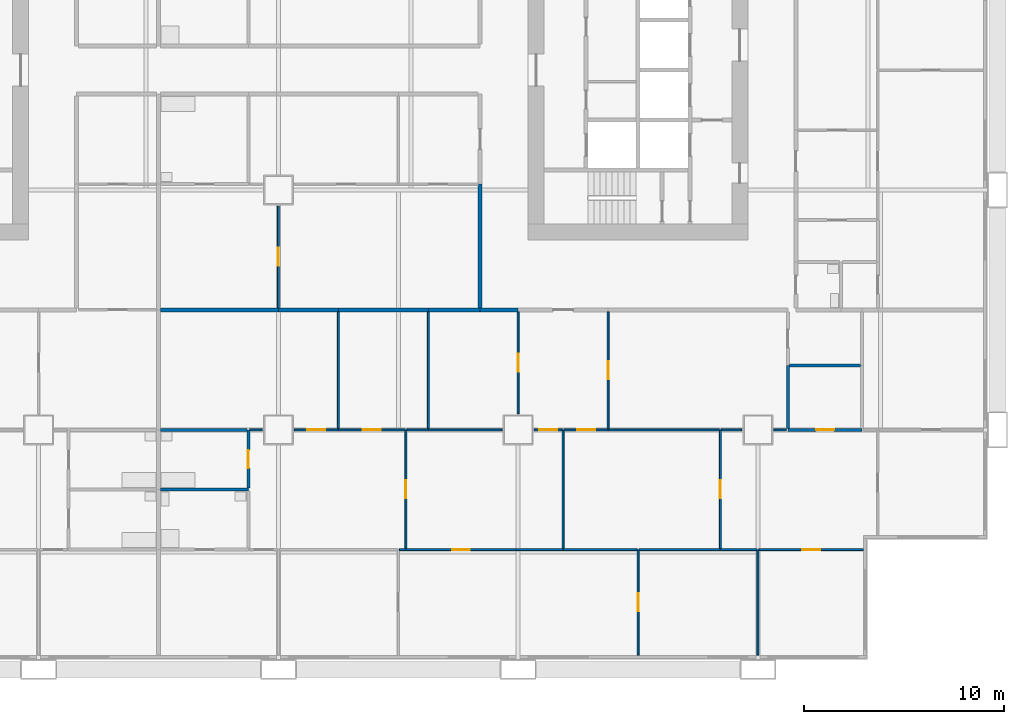
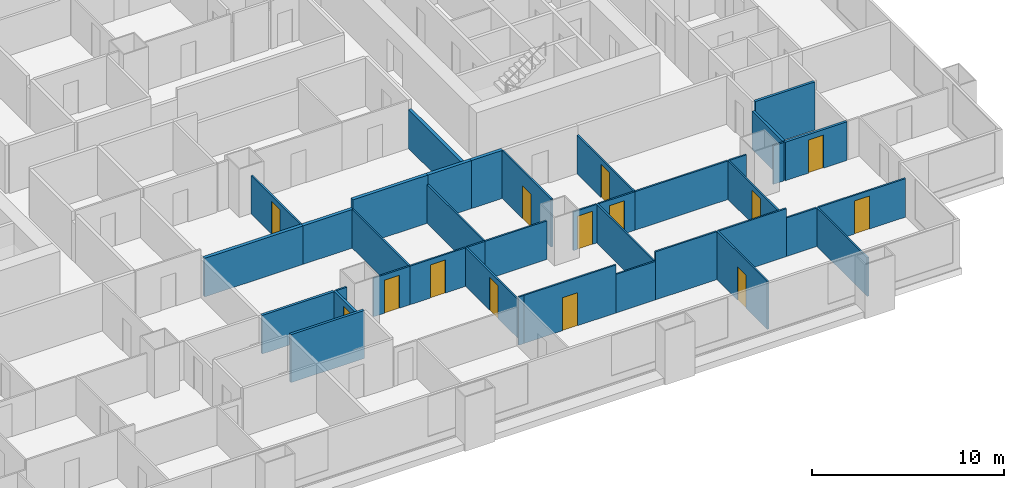
# One storey, part 5 of 13: 39 walls, 14 doors, 14 openings.
"""IFC4 building model written with IfcOpenShell, lengths in metres."""

from ifc_helpers import new_model, si_unit, direction, frame, frame_2d, origin, place, context, subcontext, project, spatial, rectangle, extrude, material, layer, layer_set, type_object, element, fill, save


model = new_model("IFC4")

# Units and contexts
model_context = context("Model", 3, precision=1e-05, world=origin(), true_north=direction((0.0, 1.0)))
body_context = subcontext(model_context, "Body", "Model", "MODEL_VIEW")
ifc_project = project(units=[si_unit("LENGTHUNIT", "METRE"), si_unit("AREAUNIT", "SQUARE_METRE"), si_unit("VOLUMEUNIT", "CUBIC_METRE"), si_unit("PLANEANGLEUNIT", "RADIAN"), si_unit("MASSUNIT", "GRAM", prefix="KILO")], contexts=[model_context])

# Site, building, storey
site_placement = place(None, origin())
site = spatial("IfcSite", under=ifc_project, at=site_placement, CompositionType="ELEMENT")
building_placement = place(site_placement, origin())
building = spatial("IfcBuilding", under=site, at=building_placement, Name="Kitamizu Gate Tower and Museum", CompositionType="ELEMENT")
storey_placement = place(building_placement, frame((0.0, 0.0, 40.35009765625)))
storey = spatial("IfcBuildingStorey", under=building, at=storey_placement, Name="L08", CompositionType="ELEMENT", Elevation=40.35009765625)

# Wall, opening, door
ifc_material_1 = material(Name="Gypsum board on galvanised stud")
ifc_layer_1 = layer(ifc_material_1, 0.10009765625)
ifc_layer_set_1 = layer_set([ifc_layer_1], Name="Gypsum board on galvanised stud")
wall_type_1 = type_object("IfcWallType", Name="Partition 100 NOT RATED", PredefinedType="PARTITIONING", material=ifc_layer_set_1)
wall_1_placement = place(storey_placement, frame((54.0, 0.719970703125, 0.0), z_axis=(0.0, 0.0, 1.0), x_axis=(0.0, 1.0, 0.0)))
wall_1 = element("IfcWall", 1, at=wall_1_placement, inside=storey, type_object=wall_type_1, Name="Partition L08-051", PredefinedType="PARTITIONING", context=body_context, shape_type="SweptSolid", body=[
    extrude(rectangle(XDim=5.280029296875, YDim=0.10009765625, at=frame_2d((2.64013671875, 0.0))), origin(), (0.0, 0.0, 1.0), 3.0498046875),
])
opening_1_placement = place(wall_1_placement, frame((2.18994140625, 0.0, 0.0)))
opening_1 = element("IfcOpeningElement", 2, at=opening_1_placement, cuts=wall_1, Name="Opening L08-027", PredefinedType="OPENING", context=body_context, shape_type="SweptSolid", body=[
    extrude(rectangle(XDim=0.89990234375, YDim=2.10009765625, at=frame_2d((0.449951171875, 1.050048828125))), frame((0.0, 0.06005859375, 0.0), z_axis=(0.0, -1.0, 0.0), x_axis=(1.0, 0.0, 0.0)), (0.0, 0.0, 1.0), 0.1201171875),
])
ifc_material_2 = material(Name="Timber door set", Category="wood")
door_type_1 = type_object("IfcDoorType", Name="Room door 900", OperationType="NOTDEFINED", PredefinedType="DOOR", material=ifc_material_2)
door_1_placement = place(opening_1_placement, frame((0.89990234375, 0.0, 0.0), x_axis=(-1.0, 0.0, 0.0)))
door_1 = element("IfcDoor", 3, at=door_1_placement, inside=storey, type_object=door_type_1, Name="Door L08-027", OperationType="SINGLE_SWING_LEFT", OverallHeight=2.10009765625, OverallWidth=0.89990234375, PredefinedType="DOOR", context=body_context, shape_type="SweptSolid", body=[
    extrude(rectangle(XDim=0.89990234375, YDim=2.10009765625, at=frame_2d((0.449951171875, 1.050048828125))), frame((0.0, 0.02490234375, 0.0), z_axis=(0.0, -1.0, 0.0), x_axis=(1.0, 0.0, 0.0)), (0.0, 0.0, 1.0), 0.050048828125),
])
fill(opening_1, door_1)

# Walls
wall_2_placement = place(storey_placement, frame((42.375, 6.0, 0.0), z_axis=(0.0, 0.0, 1.0), x_axis=(-1.0, 0.0, 0.0)))
element("IfcWall", 4, at=wall_2_placement, inside=storey, type_object=wall_type_1, Name="Partition L08-052", PredefinedType="PARTITIONING", context=body_context, shape_type="SweptSolid", body=[
    extrude(rectangle(XDim=0.324951171875, YDim=0.10009765625, at=frame_2d((0.16259765625, 0.0))), origin(), (0.0, 0.0, 1.0), 3.0498046875),
])
wall_3_placement = place(storey_placement, frame((50.25, 6.0, 0.0), z_axis=(0.0, 0.0, 1.0), x_axis=(-1.0, 0.0, 0.0)))
element("IfcWall", 5, at=wall_3_placement, inside=storey, type_object=wall_type_1, Name="Partition L08-053", PredefinedType="PARTITIONING", context=body_context, shape_type="SweptSolid", body=[
    extrude(rectangle(XDim=2.35009765625, YDim=0.10009765625, at=frame_2d((1.175048828125, 0.0))), origin(), (0.0, 0.0, 1.0), 2.449951171875),
])

# Wall, opening, door
wall_4_placement = place(storey_placement, frame((47.89990234375, 6.0, 0.0), z_axis=(0.0, 0.0, 1.0), x_axis=(-1.0, 0.0, 0.0)))
wall_4 = element("IfcWall", 6, at=wall_4_placement, inside=storey, type_object=wall_type_1, Name="Partition L08-054", PredefinedType="PARTITIONING", context=body_context, shape_type="SweptSolid", body=[
    extrude(rectangle(XDim=5.52490234375, YDim=0.10009765625, at=frame_2d((2.762451171875, 0.0))), origin(), (0.0, 0.0, 1.0), 3.0498046875),
])
opening_2_placement = place(wall_4_placement, frame((2.3125, 0.0, 0.0)))
opening_2 = element("IfcOpeningElement", 7, at=opening_2_placement, cuts=wall_4, Name="Opening L08-020", PredefinedType="OPENING", context=body_context, shape_type="SweptSolid", body=[
    extrude(rectangle(XDim=0.89990234375, YDim=2.10009765625, at=frame_2d((0.449951171875, 1.050048828125))), frame((0.0, 0.06005859375, 0.0), z_axis=(0.0, -1.0, 0.0), x_axis=(1.0, 0.0, 0.0)), (0.0, 0.0, 1.0), 0.1201171875),
])
door_2_placement = place(opening_2_placement, frame((0.89990234375, 0.0, 0.0), x_axis=(-1.0, 0.0, 0.0)))
door_2 = element("IfcDoor", 8, at=door_2_placement, inside=storey, type_object=door_type_1, Name="Door L08-020", OperationType="SINGLE_SWING_LEFT", OverallHeight=2.10009765625, OverallWidth=0.89990234375, PredefinedType="DOOR", context=body_context, shape_type="SweptSolid", body=[
    extrude(rectangle(XDim=0.89990234375, YDim=2.10009765625, at=frame_2d((0.449951171875, 1.050048828125))), frame((0.0, 0.02490234375, 0.0), z_axis=(0.0, -1.0, 0.0), x_axis=(1.0, 0.0, 0.0)), (0.0, 0.0, 1.0), 0.050048828125),
])
fill(opening_2, door_2)

# Walls
wall_5_placement = place(storey_placement, frame((53.949951171875, 6.0, 0.0), z_axis=(0.0, 0.0, 1.0), x_axis=(-1.0, 0.0, 0.0)))
element("IfcWall", 9, at=wall_5_placement, inside=storey, type_object=wall_type_1, Name="Partition L08-055", PredefinedType="PARTITIONING", context=body_context, shape_type="SweptSolid", body=[
    extrude(rectangle(XDim=3.699951171875, YDim=0.10009765625, at=frame_2d((1.85009765625, 0.0))), origin(), (0.0, 0.0, 1.0), 3.0498046875),
])
wall_6_placement = place(storey_placement, frame((60.0, 0.719970703125, 0.0), z_axis=(0.0, 0.0, 1.0), x_axis=(0.0, 1.0, 0.0)))
element("IfcWall", 10, at=wall_6_placement, inside=storey, type_object=wall_type_1, Name="Partition L08-056", PredefinedType="PARTITIONING", context=body_context, shape_type="SweptSolid", body=[
    extrude(rectangle(XDim=5.280029296875, YDim=0.10009765625, at=frame_2d((2.64013671875, 0.0))), origin(), (0.0, 0.0, 1.0), 2.449951171875),
])
wall_7_placement = place(storey_placement, frame((58.125, 6.0, 0.0), z_axis=(0.0, 0.0, 1.0), x_axis=(-1.0, 0.0, 0.0)))
element("IfcWall", 11, at=wall_7_placement, inside=storey, type_object=wall_type_1, Name="Partition L08-057", PredefinedType="PARTITIONING", context=body_context, shape_type="SweptSolid", body=[
    extrude(rectangle(XDim=4.074951171875, YDim=0.10009765625, at=frame_2d((2.03759765625, 0.0))), origin(), (0.0, 0.0, 1.0), 3.0498046875),
])
wall_8_placement = place(storey_placement, frame((59.949951171875, 6.0, 0.0), z_axis=(0.0, 0.0, 1.0), x_axis=(-1.0, 0.0, 0.0)))
element("IfcWall", 12, at=wall_8_placement, inside=storey, type_object=wall_type_1, Name="Partition L08-058", PredefinedType="PARTITIONING", context=body_context, shape_type="SweptSolid", body=[
    extrude(rectangle(XDim=1.824951171875, YDim=0.10009765625, at=frame_2d((0.91259765625, 0.0))), origin(), (0.0, 0.0, 1.0), 2.449951171875),
])

# Wall, opening, door
wall_9_placement = place(storey_placement, frame((65.280029296875, 6.0, 0.0), z_axis=(0.0, 0.0, 1.0), x_axis=(-1.0, 0.0, 0.0)))
wall_9 = element("IfcWall", 13, at=wall_9_placement, inside=storey, type_object=wall_type_1, Name="Partition L08-059", PredefinedType="PARTITIONING", context=body_context, shape_type="SweptSolid", body=[
    extrude(rectangle(XDim=5.22998046875, YDim=0.10009765625, at=frame_2d((2.614990234375, 0.0))), origin(), (0.0, 0.0, 1.0), 2.449951171875),
])
opening_3_placement = place(wall_9_placement, frame((2.1650390625, 0.0, 0.0)))
opening_3 = element("IfcOpeningElement", 14, at=opening_3_placement, cuts=wall_9, Name="Opening L08-028", PredefinedType="OPENING", context=body_context, shape_type="SweptSolid", body=[
    extrude(rectangle(XDim=0.89990234375, YDim=2.10009765625, at=frame_2d((0.449951171875, 1.050048828125))), frame((0.0, 0.06005859375, 0.0), z_axis=(0.0, -1.0, 0.0), x_axis=(1.0, 0.0, 0.0)), (0.0, 0.0, 1.0), 0.1201171875),
])
door_3_placement = place(opening_3_placement, origin())
door_3 = element("IfcDoor", 15, at=door_3_placement, inside=storey, type_object=door_type_1, Name="Door L08-028", OperationType="SINGLE_SWING_LEFT", OverallHeight=2.10009765625, OverallWidth=0.89990234375, PredefinedType="DOOR", context=body_context, shape_type="SweptSolid", body=[
    extrude(rectangle(XDim=0.89990234375, YDim=2.10009765625, at=frame_2d((0.449951171875, 1.050048828125))), frame((0.0, 0.02490234375, 0.0), z_axis=(0.0, -1.0, 0.0), x_axis=(1.0, 0.0, 0.0)), (0.0, 0.0, 1.0), 0.050048828125),
])
fill(opening_3, door_3)

wall_10_placement = place(storey_placement, frame((42.375, 6.050048828125, 0.0), z_axis=(0.0, 0.0, 1.0), x_axis=(0.0, 1.0, 0.0)))
wall_10 = element("IfcWall", 16, at=wall_10_placement, inside=storey, type_object=wall_type_1, Name="Partition L08-064", PredefinedType="PARTITIONING", context=body_context, shape_type="SweptSolid", body=[
    extrude(rectangle(XDim=5.949951171875, YDim=0.10009765625, at=frame_2d((2.97509765625, 0.0))), origin(), (0.0, 0.0, 1.0), 2.449951171875),
])
opening_4_placement = place(wall_10_placement, frame((2.52490234375, 0.0, 0.0)))
opening_4 = element("IfcOpeningElement", 17, at=opening_4_placement, cuts=wall_10, Name="Opening L08-021", PredefinedType="OPENING", context=body_context, shape_type="SweptSolid", body=[
    extrude(rectangle(XDim=0.89990234375, YDim=2.10009765625, at=frame_2d((0.449951171875, 1.050048828125))), frame((0.0, 0.06005859375, 0.0), z_axis=(0.0, -1.0, 0.0), x_axis=(1.0, 0.0, 0.0)), (0.0, 0.0, 1.0), 0.1201171875),
])
door_4_placement = place(opening_4_placement, frame((0.89990234375, 0.0, 0.0), x_axis=(-1.0, 0.0, 0.0)))
door_4 = element("IfcDoor", 18, at=door_4_placement, inside=storey, type_object=door_type_1, Name="Door L08-021", OperationType="SINGLE_SWING_RIGHT", OverallHeight=2.10009765625, OverallWidth=0.89990234375, PredefinedType="DOOR", context=body_context, shape_type="SweptSolid", body=[
    extrude(rectangle(XDim=0.89990234375, YDim=2.10009765625, at=frame_2d((0.449951171875, 1.050048828125))), frame((0.0, 0.02490234375, 0.0), z_axis=(0.0, -1.0, 0.0), x_axis=(1.0, 0.0, 0.0)), (0.0, 0.0, 1.0), 0.050048828125),
])
fill(opening_4, door_4)

# Wall
wall_11_placement = place(storey_placement, frame((35.199951171875, 12.0, 0.0), z_axis=(0.0, 0.0, 1.0), x_axis=(-1.0, 0.0, 0.0)))
element("IfcWall", 19, at=wall_11_placement, inside=storey, type_object=wall_type_1, Name="Partition L08-065", PredefinedType="PARTITIONING", context=body_context, shape_type="SweptSolid", body=[
    extrude(rectangle(XDim=0.625, YDim=0.10009765625, at=frame_2d((0.3125, 0.0))), origin(), (0.0, 0.0, 1.0), 2.449951171875),
])

# Wall, opening, door
wall_12_placement = place(storey_placement, frame((39.0, 12.0, 0.0), z_axis=(0.0, 0.0, 1.0), x_axis=(-1.0, 0.0, 0.0)))
wall_12 = element("IfcWall", 20, at=wall_12_placement, inside=storey, type_object=wall_type_1, Name="Partition L08-066", PredefinedType="PARTITIONING", context=body_context, shape_type="SweptSolid", body=[
    extrude(rectangle(XDim=2.199951171875, YDim=0.10009765625, at=frame_2d((1.10009765625, 0.0))), origin(), (0.0, 0.0, 1.0), 2.449951171875),
])
opening_5_placement = place(wall_12_placement, frame((0.64990234375, 0.0, 0.0)))
opening_5 = element("IfcOpeningElement", 21, at=opening_5_placement, cuts=wall_12, Name="Opening L08-030", PredefinedType="OPENING", context=body_context, shape_type="SweptSolid", body=[
    extrude(rectangle(XDim=0.89990234375, YDim=2.10009765625, at=frame_2d((0.449951171875, 1.050048828125))), frame((0.0, 0.06005859375, 0.0), z_axis=(0.0, -1.0, 0.0), x_axis=(1.0, 0.0, 0.0)), (0.0, 0.0, 1.0), 0.1201171875),
])
door_5_placement = place(opening_5_placement, frame((0.89990234375, 0.0, 0.0), x_axis=(-1.0, 0.0, 0.0)))
door_5 = element("IfcDoor", 22, at=door_5_placement, inside=storey, type_object=door_type_1, Name="Door L08-030", OperationType="SINGLE_SWING_RIGHT", OverallHeight=2.10009765625, OverallWidth=0.89990234375, PredefinedType="DOOR", context=body_context, shape_type="SweptSolid", body=[
    extrude(rectangle(XDim=0.89990234375, YDim=2.10009765625, at=frame_2d((0.449951171875, 1.050048828125))), frame((0.0, 0.02490234375, 0.0), z_axis=(0.0, -1.0, 0.0), x_axis=(1.0, 0.0, 0.0)), (0.0, 0.0, 1.0), 0.050048828125),
])
fill(opening_5, door_5)

wall_13_placement = place(storey_placement, frame((42.324951171875, 12.0, 0.0), z_axis=(0.0, 0.0, 1.0), x_axis=(-1.0, 0.0, 0.0)))
wall_13 = element("IfcWall", 23, at=wall_13_placement, inside=storey, type_object=wall_type_1, Name="Partition L08-067", PredefinedType="PARTITIONING", context=body_context, shape_type="SweptSolid", body=[
    extrude(rectangle(XDim=3.324951171875, YDim=0.10009765625, at=frame_2d((1.66259765625, 0.0))), origin(), (0.0, 0.0, 1.0), 2.449951171875),
])
opening_6_placement = place(wall_13_placement, frame((1.21240234375, 0.0, 0.0)))
opening_6 = element("IfcOpeningElement", 24, at=opening_6_placement, cuts=wall_13, Name="Opening L08-031", PredefinedType="OPENING", context=body_context, shape_type="SweptSolid", body=[
    extrude(rectangle(XDim=0.89990234375, YDim=2.10009765625, at=frame_2d((0.449951171875, 1.050048828125))), frame((0.0, 0.06005859375, 0.0), z_axis=(0.0, -1.0, 0.0), x_axis=(1.0, 0.0, 0.0)), (0.0, 0.0, 1.0), 0.1201171875),
])
door_6_placement = place(opening_6_placement, frame((0.89990234375, 0.0, 0.0), x_axis=(-1.0, 0.0, 0.0)))
door_6 = element("IfcDoor", 25, at=door_6_placement, inside=storey, type_object=door_type_1, Name="Door L08-031", OperationType="SINGLE_SWING_RIGHT", OverallHeight=2.10009765625, OverallWidth=0.89990234375, PredefinedType="DOOR", context=body_context, shape_type="SweptSolid", body=[
    extrude(rectangle(XDim=0.89990234375, YDim=2.10009765625, at=frame_2d((0.449951171875, 1.050048828125))), frame((0.0, 0.02490234375, 0.0), z_axis=(0.0, -1.0, 0.0), x_axis=(1.0, 0.0, 0.0)), (0.0, 0.0, 1.0), 0.050048828125),
])
fill(opening_6, door_6)

# Walls
wall_14_placement = place(storey_placement, frame((50.25, 6.050048828125, 0.0), z_axis=(0.0, 0.0, 1.0), x_axis=(0.0, 1.0, 0.0)))
element("IfcWall", 26, at=wall_14_placement, inside=storey, type_object=wall_type_1, Name="Partition L08-068", PredefinedType="PARTITIONING", context=body_context, shape_type="SweptSolid", body=[
    extrude(rectangle(XDim=5.949951171875, YDim=0.10009765625, at=frame_2d((2.97509765625, 0.0))), origin(), (0.0, 0.0, 1.0), 2.449951171875),
])
wall_15_placement = place(storey_placement, frame((43.5, 12.0, 0.0), z_axis=(0.0, 0.0, 1.0), x_axis=(-1.0, 0.0, 0.0)))
element("IfcWall", 27, at=wall_15_placement, inside=storey, type_object=wall_type_1, Name="Partition L08-069", PredefinedType="PARTITIONING", context=body_context, shape_type="SweptSolid", body=[
    extrude(rectangle(XDim=1.074951171875, YDim=0.10009765625, at=frame_2d((0.53759765625, 0.0))), origin(), (0.0, 0.0, 1.0), 2.449951171875),
])
wall_16_placement = place(storey_placement, frame((47.199951171875, 12.0, 0.0), z_axis=(0.0, 0.0, 1.0), x_axis=(-1.0, 0.0, 0.0)))
element("IfcWall", 28, at=wall_16_placement, inside=storey, type_object=wall_type_1, Name="Partition L08-070", PredefinedType="PARTITIONING", context=body_context, shape_type="SweptSolid", body=[
    extrude(rectangle(XDim=3.699951171875, YDim=0.10009765625, at=frame_2d((1.85009765625, 0.0))), origin(), (0.0, 0.0, 1.0), 2.449951171875),
])

# Wall, opening, door
wall_17_placement = place(storey_placement, frame((50.199951171875, 12.0, 0.0), z_axis=(0.0, 0.0, 1.0), x_axis=(-1.0, 0.0, 0.0)))
wall_17 = element("IfcWall", 29, at=wall_17_placement, inside=storey, type_object=wall_type_1, Name="Partition L08-071", PredefinedType="PARTITIONING", context=body_context, shape_type="SweptSolid", body=[
    extrude(rectangle(XDim=1.39990234375, YDim=0.10009765625, at=frame_2d((0.699951171875, 0.0))), origin(), (0.0, 0.0, 1.0), 2.449951171875),
])
opening_7_placement = place(wall_17_placement, frame((0.25, 0.0, 0.0)))
opening_7 = element("IfcOpeningElement", 30, at=opening_7_placement, cuts=wall_17, Name="Opening L08-018", PredefinedType="OPENING", context=body_context, shape_type="SweptSolid", body=[
    extrude(rectangle(XDim=0.89990234375, YDim=2.10009765625, at=frame_2d((0.449951171875, 1.050048828125))), frame((0.0, 0.06005859375, 0.0), z_axis=(0.0, -1.0, 0.0), x_axis=(1.0, 0.0, 0.0)), (0.0, 0.0, 1.0), 0.1201171875),
])
door_7_placement = place(opening_7_placement, origin())
door_7 = element("IfcDoor", 31, at=door_7_placement, inside=storey, type_object=door_type_1, Name="Door L08-018", OperationType="SINGLE_SWING_LEFT", OverallHeight=2.10009765625, OverallWidth=0.89990234375, PredefinedType="DOOR", context=body_context, shape_type="SweptSolid", body=[
    extrude(rectangle(XDim=0.89990234375, YDim=2.10009765625, at=frame_2d((0.449951171875, 1.050048828125))), frame((0.0, 0.02490234375, 0.0), z_axis=(0.0, -1.0, 0.0), x_axis=(1.0, 0.0, 0.0)), (0.0, 0.0, 1.0), 0.050048828125),
])
fill(opening_7, door_7)

wall_18_placement = place(storey_placement, frame((58.125, 6.050048828125, 0.0), z_axis=(0.0, 0.0, 1.0), x_axis=(0.0, 1.0, 0.0)))
wall_18 = element("IfcWall", 32, at=wall_18_placement, inside=storey, type_object=wall_type_1, Name="Partition L08-072", PredefinedType="PARTITIONING", context=body_context, shape_type="SweptSolid", body=[
    extrude(rectangle(XDim=5.949951171875, YDim=0.10009765625, at=frame_2d((2.97509765625, 0.0))), origin(), (0.0, 0.0, 1.0), 2.449951171875),
])
opening_8_placement = place(wall_18_placement, frame((2.52490234375, 0.0, 0.0)))
opening_8 = element("IfcOpeningElement", 33, at=opening_8_placement, cuts=wall_18, Name="Opening L08-022", PredefinedType="OPENING", context=body_context, shape_type="SweptSolid", body=[
    extrude(rectangle(XDim=0.89990234375, YDim=2.10009765625, at=frame_2d((0.449951171875, 1.050048828125))), frame((0.0, 0.06005859375, 0.0), z_axis=(0.0, -1.0, 0.0), x_axis=(1.0, 0.0, 0.0)), (0.0, 0.0, 1.0), 0.1201171875),
])
door_8_placement = place(opening_8_placement, frame((0.89990234375, 0.0, 0.0), x_axis=(-1.0, 0.0, 0.0)))
door_8 = element("IfcDoor", 34, at=door_8_placement, inside=storey, type_object=door_type_1, Name="Door L08-022", OperationType="SINGLE_SWING_LEFT", OverallHeight=2.10009765625, OverallWidth=0.89990234375, PredefinedType="DOOR", context=body_context, shape_type="SweptSolid", body=[
    extrude(rectangle(XDim=0.89990234375, YDim=2.10009765625, at=frame_2d((0.449951171875, 1.050048828125))), frame((0.0, 0.02490234375, 0.0), z_axis=(0.0, -1.0, 0.0), x_axis=(1.0, 0.0, 0.0)), (0.0, 0.0, 1.0), 0.050048828125),
])
fill(opening_8, door_8)

wall_19_placement = place(storey_placement, frame((52.5, 12.0, 0.0), z_axis=(0.0, 0.0, 1.0), x_axis=(-1.0, 0.0, 0.0)))
wall_19 = element("IfcWall", 35, at=wall_19_placement, inside=storey, type_object=wall_type_1, Name="Partition L08-073", PredefinedType="PARTITIONING", context=body_context, shape_type="SweptSolid", body=[
    extrude(rectangle(XDim=2.199951171875, YDim=0.10009765625, at=frame_2d((1.10009765625, 0.0))), origin(), (0.0, 0.0, 1.0), 2.449951171875),
])
opening_9_placement = place(wall_19_placement, frame((0.64990234375, 0.0, 0.0)))
opening_9 = element("IfcOpeningElement", 36, at=opening_9_placement, cuts=wall_19, Name="Opening L08-019", PredefinedType="OPENING", context=body_context, shape_type="SweptSolid", body=[
    extrude(rectangle(XDim=0.89990234375, YDim=2.10009765625, at=frame_2d((0.449951171875, 1.050048828125))), frame((0.0, 0.06005859375, 0.0), z_axis=(0.0, -1.0, 0.0), x_axis=(1.0, 0.0, 0.0)), (0.0, 0.0, 1.0), 0.1201171875),
])
door_9_placement = place(opening_9_placement, origin())
door_9 = element("IfcDoor", 37, at=door_9_placement, inside=storey, type_object=door_type_1, Name="Door L08-019", OperationType="SINGLE_SWING_LEFT", OverallHeight=2.10009765625, OverallWidth=0.89990234375, PredefinedType="DOOR", context=body_context, shape_type="SweptSolid", body=[
    extrude(rectangle(XDim=0.89990234375, YDim=2.10009765625, at=frame_2d((0.449951171875, 1.050048828125))), frame((0.0, 0.02490234375, 0.0), z_axis=(0.0, -1.0, 0.0), x_axis=(1.0, 0.0, 0.0)), (0.0, 0.0, 1.0), 0.050048828125),
])
fill(opening_9, door_9)

# Walls
wall_20_placement = place(storey_placement, frame((58.074951171875, 12.0, 0.0), z_axis=(0.0, 0.0, 1.0), x_axis=(-1.0, 0.0, 0.0)))
element("IfcWall", 38, at=wall_20_placement, inside=storey, type_object=wall_type_1, Name="Partition L08-074", PredefinedType="PARTITIONING", context=body_context, shape_type="SweptSolid", body=[
    extrude(rectangle(XDim=5.574951171875, YDim=0.10009765625, at=frame_2d((2.78759765625, 0.0))), origin(), (0.0, 0.0, 1.0), 2.449951171875),
])
wall_21_placement = place(storey_placement, frame((59.199951171875, 12.0, 0.0), z_axis=(0.0, 0.0, 1.0), x_axis=(-1.0, 0.0, 0.0)))
element("IfcWall", 39, at=wall_21_placement, inside=storey, type_object=wall_type_1, Name="Partition L08-076", PredefinedType="PARTITIONING", context=body_context, shape_type="SweptSolid", body=[
    extrude(rectangle(XDim=1.02490234375, YDim=0.10009765625, at=frame_2d((0.512451171875, 0.0))), origin(), (0.0, 0.0, 1.0), 2.449951171875),
])
wall_22_placement = place(storey_placement, frame((61.425048828125, 12.0, 0.0), z_axis=(0.0, 0.0, 1.0), x_axis=(-1.0, 0.0, 0.0)))
element("IfcWall", 40, at=wall_22_placement, inside=storey, type_object=wall_type_1, Name="Partition L08-077", PredefinedType="PARTITIONING", context=body_context, shape_type="SweptSolid", body=[
    extrude(rectangle(XDim=0.625, YDim=0.10009765625, at=frame_2d((0.3125, 0.0))), origin(), (0.0, 0.0, 1.0), 2.449951171875),
])
for number, where, z_axis, x_axis, name in (
    (41, (39.0, 12.050048828125, 0.0), (0.0, 0.0, 1.0), (0.0, 1.0, 0.0), "Partition L08-081"),
    (42, (43.5, 12.050048828125, 0.0), (0.0, 0.0, 1.0), (0.0, 1.0, 0.0), "Partition L08-084"),
):
    element("IfcWall", number, at=place(storey_placement, frame(where, z_axis=z_axis, x_axis=x_axis)), inside=storey, type_object=wall_type_1, Name=name, PredefinedType="PARTITIONING", context=body_context, shape_type="SweptSolid", body=[
        extrude(rectangle(XDim=5.849853515625, YDim=0.10009765625, at=frame_2d((2.9248046875, 0.0))), origin(), (0.0, 0.0, 1.0), 2.449951171875),
    ])

# Wall, opening, door
wall_23_placement = place(storey_placement, frame((48.0, 12.800048828125, 0.0), z_axis=(0.0, 0.0, 1.0), x_axis=(0.0, 1.0, 0.0)))
wall_23 = element("IfcWall", 43, at=wall_23_placement, inside=storey, type_object=wall_type_1, Name="Partition L08-086", PredefinedType="PARTITIONING", context=body_context, shape_type="SweptSolid", body=[
    extrude(rectangle(XDim=5.099853515625, YDim=0.10009765625, at=frame_2d((2.5498046875, 0.0))), origin(), (0.0, 0.0, 1.0), 3.0498046875),
])
opening_10_placement = place(wall_23_placement, frame((2.10009765625, 0.0, 0.0)))
opening_10 = element("IfcOpeningElement", 44, at=opening_10_placement, cuts=wall_23, Name="Opening L08-032", PredefinedType="OPENING", context=body_context, shape_type="SweptSolid", body=[
    extrude(rectangle(XDim=0.89990234375, YDim=2.10009765625, at=frame_2d((0.449951171875, 1.050048828125))), frame((0.0, 0.06005859375, 0.0), z_axis=(0.0, -1.0, 0.0), x_axis=(1.0, 0.0, 0.0)), (0.0, 0.0, 1.0), 0.1201171875),
])
door_10_placement = place(opening_10_placement, origin())
door_10 = element("IfcDoor", 45, at=door_10_placement, inside=storey, type_object=door_type_1, Name="Door L08-032", OperationType="SINGLE_SWING_RIGHT", OverallHeight=2.10009765625, OverallWidth=0.89990234375, PredefinedType="DOOR", context=body_context, shape_type="SweptSolid", body=[
    extrude(rectangle(XDim=0.89990234375, YDim=2.10009765625, at=frame_2d((0.449951171875, 1.050048828125))), frame((0.0, 0.02490234375, 0.0), z_axis=(0.0, -1.0, 0.0), x_axis=(1.0, 0.0, 0.0)), (0.0, 0.0, 1.0), 0.050048828125),
])
fill(opening_10, door_10)

wall_24_placement = place(storey_placement, frame((52.5, 12.050048828125, 0.0), z_axis=(0.0, 0.0, 1.0), x_axis=(0.0, 1.0, 0.0)))
wall_24 = element("IfcWall", 46, at=wall_24_placement, inside=storey, type_object=wall_type_1, Name="Partition L08-089", PredefinedType="PARTITIONING", context=body_context, shape_type="SweptSolid", body=[
    extrude(rectangle(XDim=5.849853515625, YDim=0.10009765625, at=frame_2d((2.9248046875, 0.0))), origin(), (0.0, 0.0, 1.0), 2.449951171875),
])
opening_11_placement = place(wall_24_placement, frame((2.47509765625, 0.0, 0.0)))
opening_11 = element("IfcOpeningElement", 47, at=opening_11_placement, cuts=wall_24, Name="Opening L08-033", PredefinedType="OPENING", context=body_context, shape_type="SweptSolid", body=[
    extrude(rectangle(XDim=0.89990234375, YDim=2.10009765625, at=frame_2d((0.449951171875, 1.050048828125))), frame((0.0, 0.06005859375, 0.0), z_axis=(0.0, -1.0, 0.0), x_axis=(1.0, 0.0, 0.0)), (0.0, 0.0, 1.0), 0.1201171875),
])
door_11_placement = place(opening_11_placement, frame((0.89990234375, 0.0, 0.0), x_axis=(-1.0, 0.0, 0.0)))
door_11 = element("IfcDoor", 48, at=door_11_placement, inside=storey, type_object=door_type_1, Name="Door L08-033", OperationType="SINGLE_SWING_RIGHT", OverallHeight=2.10009765625, OverallWidth=0.89990234375, PredefinedType="DOOR", context=body_context, shape_type="SweptSolid", body=[
    extrude(rectangle(XDim=0.89990234375, YDim=2.10009765625, at=frame_2d((0.449951171875, 1.050048828125))), frame((0.0, 0.02490234375, 0.0), z_axis=(0.0, -1.0, 0.0), x_axis=(1.0, 0.0, 0.0)), (0.0, 0.0, 1.0), 0.050048828125),
])
fill(opening_11, door_11)

wall_25_placement = place(storey_placement, frame((36.0, 18.10009765625, 0.0), z_axis=(0.0, 0.0, 1.0), x_axis=(0.0, 1.0, 0.0)))
wall_25 = element("IfcWall", 49, at=wall_25_placement, inside=storey, type_object=wall_type_1, Name="Partition L08-101", PredefinedType="PARTITIONING", context=body_context, shape_type="SweptSolid", body=[
    extrude(rectangle(XDim=5.099853515625, YDim=0.10009765625, at=frame_2d((2.5498046875, 0.0))), origin(), (0.0, 0.0, 1.0), 2.449951171875),
])
opening_12_placement = place(wall_25_placement, frame((2.10009765625, 0.0, 0.0)))
opening_12 = element("IfcOpeningElement", 50, at=opening_12_placement, cuts=wall_25, Name="Opening L08-039", PredefinedType="OPENING", context=body_context, shape_type="SweptSolid", body=[
    extrude(rectangle(XDim=0.89990234375, YDim=2.10009765625, at=frame_2d((0.449951171875, 1.050048828125))), frame((0.0, 0.06005859375, 0.0), z_axis=(0.0, -1.0, 0.0), x_axis=(1.0, 0.0, 0.0)), (0.0, 0.0, 1.0), 0.1201171875),
])
door_12_placement = place(opening_12_placement, origin())
door_12 = element("IfcDoor", 51, at=door_12_placement, inside=storey, type_object=door_type_1, Name="Door L08-039", OperationType="SINGLE_SWING_LEFT", OverallHeight=2.10009765625, OverallWidth=0.89990234375, PredefinedType="DOOR", context=body_context, shape_type="SweptSolid", body=[
    extrude(rectangle(XDim=0.89990234375, YDim=2.10009765625, at=frame_2d((0.449951171875, 1.050048828125))), frame((0.0, 0.02490234375, 0.0), z_axis=(0.0, -1.0, 0.0), x_axis=(1.0, 0.0, 0.0)), (0.0, 0.0, 1.0), 0.050048828125),
])
fill(opening_12, door_12)

# Wall
ifc_material_3 = material(Name="Gypsum board on galvanised stud")
ifc_layer_2 = layer(ifc_material_3, 0.14990234375)
ifc_layer_set_2 = layer_set([ifc_layer_2], Name="Gypsum board on galvanised stud")
wall_type_2 = type_object("IfcWallType", Name="Partition 150", PredefinedType="PARTITIONING", material=ifc_layer_set_2)
wall_26_placement = place(storey_placement, frame((34.5, 9.0, 0.0), z_axis=(0.0, 0.0, 1.0), x_axis=(-1.0, 0.0, 0.0)))
element("IfcWall", 52, at=wall_26_placement, inside=storey, type_object=wall_type_2, Name="Partition L08-060", PredefinedType="PARTITIONING", context=body_context, shape_type="SweptSolid", body=[
    extrude(rectangle(XDim=4.39990234375, YDim=0.14990234375, at=frame_2d((2.199951171875, 0.0))), origin(), (0.0, 0.0, 1.0), 3.0498046875),
])

# Wall, opening, door
wall_27_placement = place(storey_placement, frame((34.5, 9.074951171875, 0.0), z_axis=(0.0, 0.0, 1.0), x_axis=(0.0, 1.0, 0.0)))
wall_27 = element("IfcWall", 53, at=wall_27_placement, inside=storey, type_object=wall_type_2, Name="Partition L08-062", PredefinedType="PARTITIONING", context=body_context, shape_type="SweptSolid", body=[
    extrude(rectangle(XDim=2.925048828125, YDim=0.14990234375, at=frame_2d((1.46240234375, 0.0))), origin(), (0.0, 0.0, 1.0), 2.449951171875),
])
opening_13_placement = place(wall_27_placement, frame((1.012451171875, 0.0, 0.0)))
opening_13 = element("IfcOpeningElement", 54, at=opening_13_placement, cuts=wall_27, Name="Opening L08-029", PredefinedType="OPENING", context=body_context, shape_type="SweptSolid", body=[
    extrude(rectangle(XDim=0.89990234375, YDim=2.10009765625, at=frame_2d((0.449951171875, 1.050048828125))), frame((0.0, 0.0849609375, 0.0), z_axis=(0.0, -1.0, 0.0), x_axis=(1.0, 0.0, 0.0)), (0.0, 0.0, 1.0), 0.169921875),
])
ifc_material_4 = material(Name="Timber door set", Category="wood")
door_type_2 = type_object("IfcDoorType", Name="Bathroom door 900", OperationType="NOTDEFINED", PredefinedType="DOOR", material=ifc_material_4)
door_13_placement = place(opening_13_placement, origin())
door_13 = element("IfcDoor", 55, at=door_13_placement, inside=storey, type_object=door_type_2, Name="Bathroom door L08-029", OperationType="SINGLE_SWING_RIGHT", OverallHeight=2.10009765625, OverallWidth=0.89990234375, PredefinedType="DOOR", context=body_context, shape_type="SweptSolid", body=[
    extrude(rectangle(XDim=0.89990234375, YDim=2.10009765625, at=frame_2d((0.449951171875, 1.050048828125))), frame((0.0, 0.02490234375, 0.0), z_axis=(0.0, -1.0, 0.0), x_axis=(1.0, 0.0, 0.0)), (0.0, 0.0, 1.0), 0.050048828125),
])
fill(opening_13, door_13)

# Wall
wall_28_placement = place(storey_placement, frame((34.425048828125, 12.0, 0.0), z_axis=(0.0, 0.0, 1.0), x_axis=(-1.0, 0.0, 0.0)))
element("IfcWall", 56, at=wall_28_placement, inside=storey, type_object=wall_type_2, Name="Partition L08-063", PredefinedType="PARTITIONING", context=body_context, shape_type="SweptSolid", body=[
    extrude(rectangle(XDim=4.324951171875, YDim=0.14990234375, at=frame_2d((2.16259765625, 0.0))), origin(), (0.0, 0.0, 1.0), 2.449951171875),
])

# Wall, opening, door
wall_29_placement = place(storey_placement, frame((65.216064453125, 12.0, 0.0), z_axis=(0.0, 0.0, 1.0), x_axis=(-1.0, 0.0, 0.0)))
wall_29 = element("IfcWall", 57, at=wall_29_placement, inside=storey, type_object=wall_type_2, Name="Partition L08-079", PredefinedType="PARTITIONING", context=body_context, shape_type="SweptSolid", body=[
    extrude(rectangle(XDim=3.716064453125, YDim=0.14990234375, at=frame_2d((1.85791015625, 0.0))), origin(), (0.0, 0.0, 1.0), 2.449951171875),
])
opening_14_placement = place(wall_29_placement, frame((1.407958984375, 0.0, 0.0)))
opening_14 = element("IfcOpeningElement", 58, at=opening_14_placement, cuts=wall_29, Name="Opening L08-035", PredefinedType="OPENING", context=body_context, shape_type="SweptSolid", body=[
    extrude(rectangle(XDim=0.89990234375, YDim=2.10009765625, at=frame_2d((0.449951171875, 1.050048828125))), frame((0.0, 0.0849609375, 0.0), z_axis=(0.0, -1.0, 0.0), x_axis=(1.0, 0.0, 0.0)), (0.0, 0.0, 1.0), 0.169921875),
])
door_14_placement = place(opening_14_placement, frame((0.89990234375, 0.0, 0.0), x_axis=(-1.0, 0.0, 0.0)))
door_14 = element("IfcDoor", 59, at=door_14_placement, inside=storey, type_object=door_type_2, Name="Bathroom door L08-035", OperationType="SINGLE_SWING_RIGHT", OverallHeight=2.10009765625, OverallWidth=0.89990234375, PredefinedType="DOOR", context=body_context, shape_type="SweptSolid", body=[
    extrude(rectangle(XDim=0.89990234375, YDim=2.10009765625, at=frame_2d((0.449951171875, 1.050048828125))), frame((0.0, 0.02490234375, 0.0), z_axis=(0.0, -1.0, 0.0), x_axis=(1.0, 0.0, 0.0)), (0.0, 0.0, 1.0), 0.050048828125),
])
fill(opening_14, door_14)

# Walls
wall_30_placement = place(storey_placement, frame((61.5, 12.074951171875, 0.0), z_axis=(0.0, 0.0, 1.0), x_axis=(0.0, 1.0, 0.0)))
element("IfcWall", 60, at=wall_30_placement, inside=storey, type_object=wall_type_2, Name="Partition L08-091", PredefinedType="PARTITIONING", context=body_context, shape_type="SweptSolid", body=[
    extrude(rectangle(XDim=3.154052734375, YDim=0.14990234375, at=frame_2d((1.5771484375, 0.0))), origin(), (0.0, 0.0, 1.0), 2.449951171875),
])
wall_31_placement = place(storey_placement, frame((65.14111328125, 15.22900390625, 0.0), z_axis=(0.0, 0.0, 1.0), x_axis=(-1.0, 0.0, 0.0)))
element("IfcWall", 61, at=wall_31_placement, inside=storey, type_object=wall_type_2, Name="Partition L08-098", PredefinedType="PARTITIONING", context=body_context, shape_type="SweptSolid", body=[
    extrude(rectangle(XDim=3.566162109375, YDim=0.14990234375, at=frame_2d((1.783203125, 0.0))), origin(), (0.0, 0.0, 1.0), 3.0498046875),
])
ifc_material_5 = material(Name="Gypsum board on galvanised stud")
ifc_layer_3 = layer(ifc_material_5, 0.199951171875)
ifc_layer_set_3 = layer_set([ifc_layer_3], Name="Gypsum board on galvanised stud")
wall_type_3 = type_object("IfcWallType", Name="Partition 200", PredefinedType="PARTITIONING", material=ifc_layer_set_3)
wall_32_placement = place(storey_placement, frame((36.0, 18.0, 0.0), z_axis=(0.0, 0.0, 1.0), x_axis=(-1.0, 0.0, 0.0)))
element("IfcWall", 62, at=wall_32_placement, inside=storey, type_object=wall_type_3, Name="Partition L08-082", PredefinedType="PARTITIONING", context=body_context, shape_type="SweptSolid", body=[
    extrude(rectangle(XDim=5.89990234375, YDim=0.199951171875, at=frame_2d((2.949951171875, 0.0))), origin(), (0.0, 0.0, 1.0), 2.449951171875),
])
wall_33_placement = place(storey_placement, frame((39.0, 18.0, 0.0), z_axis=(0.0, 0.0, 1.0), x_axis=(-1.0, 0.0, 0.0)))
element("IfcWall", 63, at=wall_33_placement, inside=storey, type_object=wall_type_3, Name="Partition L08-083", PredefinedType="PARTITIONING", context=body_context, shape_type="SweptSolid", body=[
    extrude(rectangle(XDim=3.0, YDim=0.199951171875, at=frame_2d((1.5, 0.0))), origin(), (0.0, 0.0, 1.0), 2.449951171875),
])
wall_34_placement = place(storey_placement, frame((43.5, 18.0, 0.0), z_axis=(0.0, 0.0, 1.0), x_axis=(-1.0, 0.0, 0.0)))
element("IfcWall", 64, at=wall_34_placement, inside=storey, type_object=wall_type_3, Name="Partition L08-085", PredefinedType="PARTITIONING", context=body_context, shape_type="SweptSolid", body=[
    extrude(rectangle(XDim=4.5, YDim=0.199951171875, at=frame_2d((2.25, 0.0))), origin(), (0.0, 0.0, 1.0), 3.0498046875),
])
wall_35_placement = place(storey_placement, frame((46.10009765625, 18.0, 0.0), z_axis=(0.0, 0.0, 1.0), x_axis=(-1.0, 0.0, 0.0)))
element("IfcWall", 65, at=wall_35_placement, inside=storey, type_object=wall_type_3, Name="Partition L08-087", PredefinedType="PARTITIONING", context=body_context, shape_type="SweptSolid", body=[
    extrude(rectangle(XDim=2.60009765625, YDim=0.199951171875, at=frame_2d((1.300048828125, 0.0))), origin(), (0.0, 0.0, 1.0), 3.0498046875),
])
wall_36_placement = place(storey_placement, frame((48.0, 18.0, 0.0), z_axis=(0.0, 0.0, 1.0), x_axis=(-1.0, 0.0, 0.0)))
element("IfcWall", 66, at=wall_36_placement, inside=storey, type_object=wall_type_3, Name="Partition L08-088", PredefinedType="PARTITIONING", context=body_context, shape_type="SweptSolid", body=[
    extrude(rectangle(XDim=1.89990234375, YDim=0.199951171875, at=frame_2d((0.949951171875, 0.0))), origin(), (0.0, 0.0, 1.0), 3.0498046875),
])
wall_37_placement = place(storey_placement, frame((46.10009765625, 18.10009765625, 0.0), z_axis=(0.0, 0.0, 1.0), x_axis=(0.0, 1.0, 0.0)))
element("IfcWall", 67, at=wall_37_placement, inside=storey, type_object=wall_type_3, Name="Partition L08-106", PredefinedType="PARTITIONING", context=body_context, shape_type="SweptSolid", body=[
    extrude(rectangle(XDim=6.199951171875, YDim=0.199951171875, at=frame_2d((3.10009765625, 0.0))), origin(), (0.0, 0.0, 1.0), 2.449951171875),
])

save(model, "model.ifc")
